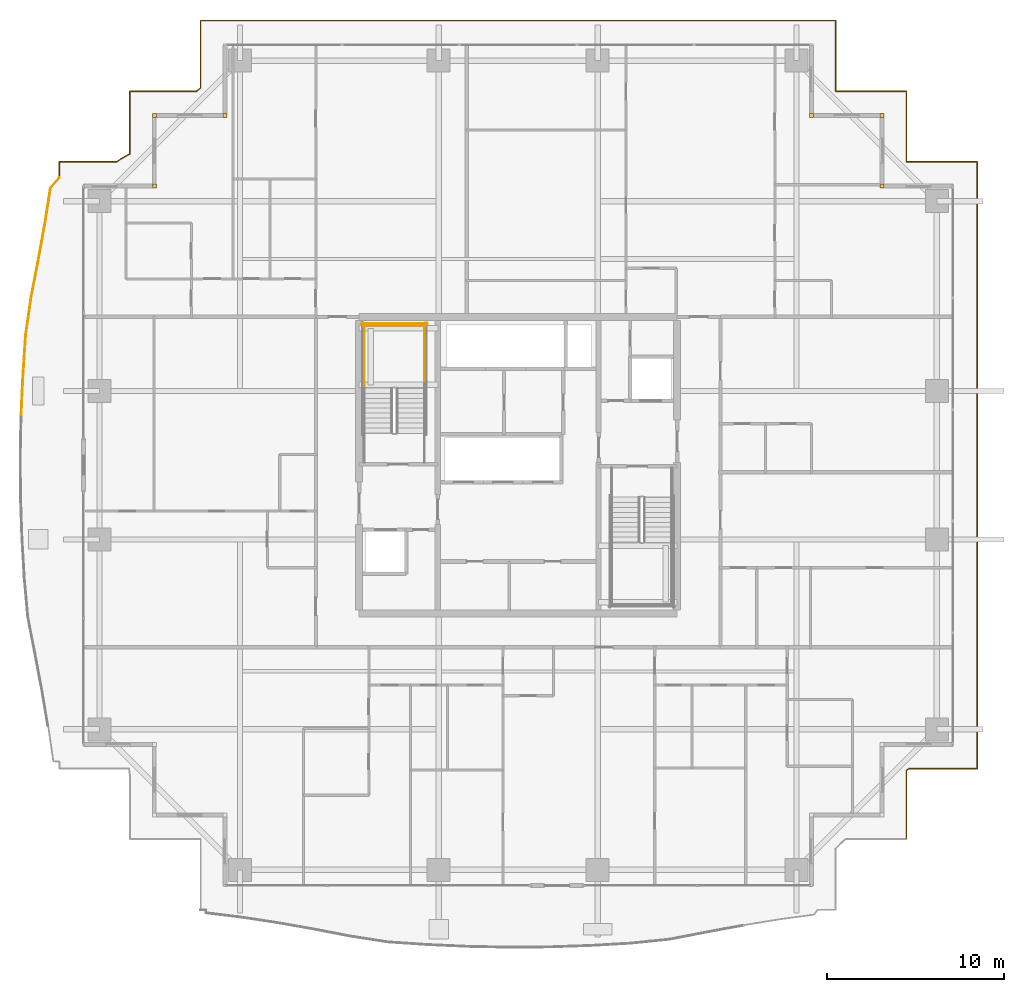
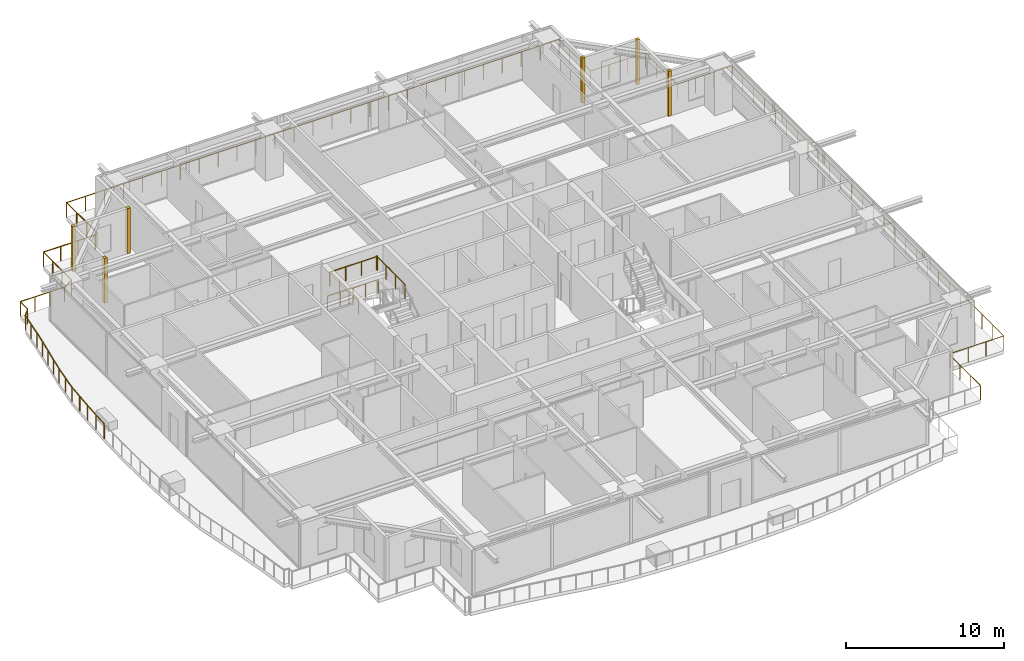
# One storey, part 34 of 34: 7 railings, 6 coverings.
"""IFC4 building model written with IfcOpenShell, lengths in metres."""

from ifc_helpers import new_model, si_unit, direction, frame, origin, origin_2d, place, context, subcontext, project, spatial, rectangle, circle, extrude, source, transform, mapped, material, layer, layer_set, type_object, element, save


model = new_model("IFC4")

# Units and contexts
model_context = context("Model", 3, precision=1e-05, world=origin(), true_north=direction((0.0, 1.0)))
body_context = subcontext(model_context, "Body", "Model", "MODEL_VIEW")
ifc_project = project(units=[si_unit("LENGTHUNIT", "METRE"), si_unit("AREAUNIT", "SQUARE_METRE"), si_unit("VOLUMEUNIT", "CUBIC_METRE"), si_unit("PLANEANGLEUNIT", "RADIAN"), si_unit("MASSUNIT", "GRAM", prefix="KILO")], contexts=[model_context])

# Site, building, storey
site_placement = place(None, origin())
site = spatial("IfcSite", under=ifc_project, at=site_placement, CompositionType="ELEMENT")
building_placement = place(site_placement, origin())
building = spatial("IfcBuilding", under=site, at=building_placement, Name="Serunith Strait Residences", CompositionType="ELEMENT")
storey_placement = place(building_placement, frame((0.0, 0.0, 187.64990234375)))
storey = spatial("IfcBuildingStorey", under=building, at=storey_placement, Name="L47", CompositionType="ELEMENT", Elevation=187.64990234375)

# Railings
ifc_material_1 = material(Name="Stainless Steel & Laminated Glass Balustrade", Category="steel")
railing_type_1 = type_object("IfcRailingType", Name="RLG-BALC-1150", PredefinedType="BALUSTRADE", material=ifc_material_1)
railing_1_placement = place(storey_placement, frame((4.26806640625, 28.039794921875, -0.0498046875)))
element("IfcRailing", 1, at=railing_1_placement, inside=storey, type_object=railing_type_1, Name="L47 Swirling Balcony Perimeter Balustrade 3", PredefinedType="BALUSTRADE", context=body_context, shape_type="SweptSolid", body=[
    extrude(circle(Radius=0.02392578125, at=origin_2d()), frame((0.0, 0.001953125, 1.1259765625), z_axis=(0.045533424671, 0.998962815743, 0.0), x_axis=(-0.998962815743, 0.045533424671, 0.0)), (0.0, 0.0, 1.0), 2.285400390625),
    extrude(circle(Radius=0.02392578125, at=origin_2d()), frame((0.1044921875, 2.2890625, 1.1259765625), z_axis=(0.067335470946, 0.997730391615, 0.0), x_axis=(-0.997730391615, 0.067335470946, 0.0)), (0.0, 0.0, 1.0), 2.258544921875),
    extrude(circle(Radius=0.02392578125, at=origin_2d()), frame((0.2568359375, 4.54638671875, 1.1259765625), z_axis=(0.143815272535, 0.989604551013, 0.0), x_axis=(-0.989604551013, 0.143815272535, 0.0)), (0.0, 0.0, 1.0), 2.1943359375),
    extrude(circle(Radius=0.02392578125, at=origin_2d()), frame((0.5732421875, 6.721923828125, 1.1259765625), z_axis=(0.189904024745, 0.981802659085, 0.0), x_axis=(-0.981802659085, 0.189904024745, 0.0)), (0.0, 0.0, 1.0), 2.12109375),
    extrude(circle(Radius=0.02392578125, at=origin_2d()), frame((0.9765625, 8.808349609375, 1.1259765625), z_axis=(0.177536651756, 0.984114189148, 0.0), x_axis=(-0.984114189148, 0.177536651756, 0.0)), (0.0, 0.0, 1.0), 2.06689453125),
    extrude(circle(Radius=0.02392578125, at=origin_2d()), frame((1.34423828125, 10.846435546875, 1.1259765625), z_axis=(0.155105611763, 0.987897894116, 0.0), x_axis=(-0.987897894116, 0.155105611763, 0.0)), (0.0, 0.0, 1.0), 2.029541015625),
    extrude(circle(Radius=0.02392578125, at=origin_2d()), frame((1.66064453125, 12.85498046875, 1.1259765625), z_axis=(0.650658533442, 0.759370445078, 0.0), x_axis=(-0.759370445078, 0.650658533442, 0.0)), (0.0, 0.0, 1.0), 0.7529296875),
    extrude(circle(Radius=0.02099609375, at=origin_2d()), origin(), (0.0, 0.0, 1.0), 1.099853515625),
    extrude(circle(Radius=0.02099609375, at=origin_2d()), frame((0.05224609375, 1.1435546875, 0.0)), (0.0, 0.0, 1.0), 1.099853515625),
    extrude(circle(Radius=0.02099609375, at=origin_2d()), frame((0.104248046875, 2.287109375, 0.0)), (0.0, 0.0, 1.0), 1.099853515625),
    extrude(circle(Radius=0.02099609375, at=origin_2d()), frame((0.180419921875, 3.415771484375, 0.0)), (0.0, 0.0, 1.0), 1.099853515625),
    extrude(circle(Radius=0.02099609375, at=origin_2d()), frame((0.256591796875, 4.54443359375, 0.0)), (0.0, 0.0, 1.0), 1.099853515625),
    extrude(circle(Radius=0.02099609375, at=origin_2d()), frame((0.41455078125, 5.63232421875, 0.0)), (0.0, 0.0, 1.0), 1.099853515625),
    extrude(circle(Radius=0.02099609375, at=origin_2d()), frame((0.57275390625, 6.719970703125, 0.0)), (0.0, 0.0, 1.0), 1.099853515625),
    extrude(circle(Radius=0.02099609375, at=origin_2d()), frame((0.7744140625, 7.76318359375, 0.0)), (0.0, 0.0, 1.0), 1.099853515625),
    extrude(circle(Radius=0.02099609375, at=origin_2d()), frame((0.976318359375, 8.806396484375, 0.0)), (0.0, 0.0, 1.0), 1.099853515625),
    extrude(circle(Radius=0.02099609375, at=origin_2d()), frame((1.16015625, 9.825439453125, 0.0)), (0.0, 0.0, 1.0), 1.099853515625),
    extrude(circle(Radius=0.02099609375, at=origin_2d()), frame((1.343994140625, 10.844482421875, 0.0)), (0.0, 0.0, 1.0), 1.099853515625),
    extrude(circle(Radius=0.02099609375, at=origin_2d()), frame((1.501708984375, 11.84912109375, 0.0)), (0.0, 0.0, 1.0), 1.099853515625),
    extrude(circle(Radius=0.02099609375, at=origin_2d()), frame((1.659423828125, 12.853515625, 0.0)), (0.0, 0.0, 1.0), 1.099853515625),
    extrude(circle(Radius=0.02099609375, at=origin_2d()), frame((2.15185546875, 13.42822265625, 0.0)), (0.0, 0.0, 1.0), 1.099853515625),
])
railing_2_placement = place(storey_placement, frame((6.419921875, 41.468017578125, -0.0498046875)))
element("IfcRailing", 2, at=railing_2_placement, inside=storey, type_object=railing_type_1, Name="L47 Swirling Balcony Perimeter Balustrade 4", PredefinedType="BALUSTRADE", context=body_context, shape_type="SweptSolid", body=[
    extrude(circle(Radius=0.02392578125, at=origin_2d()), frame((0.0, 0.001953125, 1.1259765625), z_axis=(0.0, 1.0, 0.0), x_axis=(-1.0, 0.0, 0.0)), (0.0, 0.0, 1.0), 0.907958984375),
    extrude(circle(Radius=0.02392578125, at=origin_2d()), frame((0.001953125, 0.911865234375, 1.1259765625), z_axis=(1.0, 0.0, 0.0), x_axis=(0.0, 1.0, 0.0)), (0.0, 0.0, 1.0), 3.22607421875),
    extrude(circle(Radius=0.02392578125, at=origin_2d()), frame((3.231689453125, 0.912841796875, 1.1259765625), z_axis=(0.858979223025, 0.512010443655, 0.0), x_axis=(-0.512010443655, 0.858979223025, 0.0)), (0.0, 0.0, 1.0), 0.892333984375),
    extrude(circle(Radius=0.02392578125, at=origin_2d()), frame((4.0, 1.372802734375, 1.1259765625), z_axis=(0.0, 1.0, 0.0), x_axis=(-1.0, 0.0, 0.0)), (0.0, 0.0, 1.0), 3.537109375),
    extrude(circle(Radius=0.02392578125, at=origin_2d()), frame((4.001953125, 4.911865234375, 1.1259765625), z_axis=(1.0, 0.0, 0.0), x_axis=(0.0, 1.0, 0.0)), (0.0, 0.0, 1.0), 3.7744140625),
    extrude(circle(Radius=0.02392578125, at=origin_2d()), frame((7.77978515625, 4.9130859375, 1.1259765625), z_axis=(0.777683480837, 0.628656029664, 0.0), x_axis=(-0.628656029664, 0.777683480837, 0.0)), (0.0, 0.0, 1.0), 0.281005859375),
    extrude(circle(Radius=0.02392578125, at=origin_2d()), frame((8.0, 5.093017578125, 1.1259765625), z_axis=(0.0, 1.0, 0.0), x_axis=(-1.0, 0.0, 0.0)), (0.0, 0.0, 1.0), 3.81689453125),
    extrude(circle(Radius=0.02392578125, at=origin_2d()), frame((8.001953125, 8.911865234375, 1.1259765625), z_axis=(1.0, 0.0, 0.0), x_axis=(0.0, 1.0, 0.0)), (0.0, 0.0, 1.0), 35.9560546875),
    extrude(circle(Radius=0.02099609375, at=origin_2d()), origin(), (0.0, 0.0, 1.0), 1.099853515625),
    extrude(circle(Radius=0.02099609375, at=origin_2d()), frame((0.0, 0.911865234375, 0.0)), (0.0, 0.0, 1.0), 1.099853515625),
    extrude(circle(Radius=0.02099609375, at=origin_2d()), frame((1.07666015625, 0.911865234375, 0.0)), (0.0, 0.0, 1.0), 1.099853515625),
    extrude(circle(Radius=0.02099609375, at=origin_2d()), frame((2.1533203125, 0.911865234375, 0.0)), (0.0, 0.0, 1.0), 1.099853515625),
    extrude(circle(Radius=0.02099609375, at=origin_2d()), frame((3.22998046875, 0.911865234375, 0.0)), (0.0, 0.0, 1.0), 1.099853515625),
    extrude(circle(Radius=0.02099609375, at=origin_2d()), frame((4.0, 1.370849609375, 0.0)), (0.0, 0.0, 1.0), 1.099853515625),
    extrude(circle(Radius=0.02099609375, at=origin_2d()), frame((4.0, 2.55126953125, 0.0)), (0.0, 0.0, 1.0), 1.099853515625),
    extrude(circle(Radius=0.02099609375, at=origin_2d()), frame((4.0, 3.7314453125, 0.0)), (0.0, 0.0, 1.0), 1.099853515625),
    extrude(circle(Radius=0.02099609375, at=origin_2d()), frame((4.0, 4.911865234375, 0.0)), (0.0, 0.0, 1.0), 1.099853515625),
    extrude(circle(Radius=0.02099609375, at=origin_2d()), frame((5.259521484375, 4.911865234375, 0.0)), (0.0, 0.0, 1.0), 1.099853515625),
    extrude(circle(Radius=0.02099609375, at=origin_2d()), frame((6.518798828125, 4.911865234375, 0.0)), (0.0, 0.0, 1.0), 1.099853515625),
    extrude(circle(Radius=0.02099609375, at=origin_2d()), frame((7.7783203125, 4.911865234375, 0.0)), (0.0, 0.0, 1.0), 1.099853515625),
    extrude(circle(Radius=0.02099609375, at=origin_2d()), frame((8.0, 5.091064453125, 0.0)), (0.0, 0.0, 1.0), 1.099853515625),
    extrude(circle(Radius=0.02099609375, at=origin_2d()), frame((8.0, 6.36474609375, 0.0)), (0.0, 0.0, 1.0), 1.099853515625),
    extrude(circle(Radius=0.02099609375, at=origin_2d()), frame((8.0, 7.63818359375, 0.0)), (0.0, 0.0, 1.0), 1.099853515625),
    extrude(circle(Radius=0.02099609375, at=origin_2d()), frame((8.0, 8.911865234375, 0.0)), (0.0, 0.0, 1.0), 1.099853515625),
    extrude(circle(Radius=0.02099609375, at=origin_2d()), frame((9.383056640625, 8.911865234375, 0.0)), (0.0, 0.0, 1.0), 1.099853515625),
    extrude(circle(Radius=0.02099609375, at=origin_2d()), frame((10.76611328125, 8.911865234375, 0.0)), (0.0, 0.0, 1.0), 1.099853515625),
    extrude(circle(Radius=0.02099609375, at=origin_2d()), frame((12.149169921875, 8.911865234375, 0.0)), (0.0, 0.0, 1.0), 1.099853515625),
    extrude(circle(Radius=0.02099609375, at=origin_2d()), frame((13.5322265625, 8.911865234375, 0.0)), (0.0, 0.0, 1.0), 1.099853515625),
    extrude(circle(Radius=0.02099609375, at=origin_2d()), frame((14.915283203125, 8.911865234375, 0.0)), (0.0, 0.0, 1.0), 1.099853515625),
    extrude(circle(Radius=0.02099609375, at=origin_2d()), frame((16.29833984375, 8.911865234375, 0.0)), (0.0, 0.0, 1.0), 1.099853515625),
    extrude(circle(Radius=0.02099609375, at=origin_2d()), frame((17.681640625, 8.911865234375, 0.0)), (0.0, 0.0, 1.0), 1.099853515625),
    extrude(circle(Radius=0.02099609375, at=origin_2d()), frame((19.064697265625, 8.911865234375, 0.0)), (0.0, 0.0, 1.0), 1.099853515625),
    extrude(circle(Radius=0.02099609375, at=origin_2d()), frame((20.44775390625, 8.911865234375, 0.0)), (0.0, 0.0, 1.0), 1.099853515625),
    extrude(circle(Radius=0.02099609375, at=origin_2d()), frame((21.830810546875, 8.911865234375, 0.0)), (0.0, 0.0, 1.0), 1.099853515625),
    extrude(circle(Radius=0.02099609375, at=origin_2d()), frame((23.2138671875, 8.911865234375, 0.0)), (0.0, 0.0, 1.0), 1.099853515625),
    extrude(circle(Radius=0.02099609375, at=origin_2d()), frame((24.596923828125, 8.911865234375, 0.0)), (0.0, 0.0, 1.0), 1.099853515625),
    extrude(circle(Radius=0.02099609375, at=origin_2d()), frame((25.97998046875, 8.911865234375, 0.0)), (0.0, 0.0, 1.0), 1.099853515625),
    extrude(circle(Radius=0.02099609375, at=origin_2d()), frame((27.363037109375, 8.911865234375, 0.0)), (0.0, 0.0, 1.0), 1.099853515625),
    extrude(circle(Radius=0.02099609375, at=origin_2d()), frame((28.74609375, 8.911865234375, 0.0)), (0.0, 0.0, 1.0), 1.099853515625),
    extrude(circle(Radius=0.02099609375, at=origin_2d()), frame((30.129150390625, 8.911865234375, 0.0)), (0.0, 0.0, 1.0), 1.099853515625),
    extrude(circle(Radius=0.02099609375, at=origin_2d()), frame((31.51220703125, 8.911865234375, 0.0)), (0.0, 0.0, 1.0), 1.099853515625),
    extrude(circle(Radius=0.02099609375, at=origin_2d()), frame((32.895263671875, 8.911865234375, 0.0)), (0.0, 0.0, 1.0), 1.099853515625),
    extrude(circle(Radius=0.02099609375, at=origin_2d()), frame((34.2783203125, 8.911865234375, 0.0)), (0.0, 0.0, 1.0), 1.099853515625),
    extrude(circle(Radius=0.02099609375, at=origin_2d()), frame((35.66162109375, 8.911865234375, 0.0)), (0.0, 0.0, 1.0), 1.099853515625),
    extrude(circle(Radius=0.02099609375, at=origin_2d()), frame((37.044677734375, 8.911865234375, 0.0)), (0.0, 0.0, 1.0), 1.099853515625),
    extrude(circle(Radius=0.02099609375, at=origin_2d()), frame((38.427734375, 8.911865234375, 0.0)), (0.0, 0.0, 1.0), 1.099853515625),
    extrude(circle(Radius=0.02099609375, at=origin_2d()), frame((39.810791015625, 8.911865234375, 0.0)), (0.0, 0.0, 1.0), 1.099853515625),
    extrude(circle(Radius=0.02099609375, at=origin_2d()), frame((41.19384765625, 8.911865234375, 0.0)), (0.0, 0.0, 1.0), 1.099853515625),
    extrude(circle(Radius=0.02099609375, at=origin_2d()), frame((42.576904296875, 8.911865234375, 0.0)), (0.0, 0.0, 1.0), 1.099853515625),
    extrude(circle(Radius=0.02099609375, at=origin_2d()), frame((43.9599609375, 8.911865234375, 0.0)), (0.0, 0.0, 1.0), 1.099853515625),
])
railing_3_placement = place(storey_placement, frame((50.3798828125, 50.3798828125, -0.0498046875)))
element("IfcRailing", 3, at=railing_3_placement, inside=storey, type_object=railing_type_1, Name="L47 Swirling Balcony Perimeter Balustrade 5", PredefinedType="BALUSTRADE", context=body_context, shape_type="SweptSolid", body=[
    extrude(circle(Radius=0.02392578125, at=origin_2d()), frame((0.0, -0.001953125, 1.1259765625), z_axis=(0.0, -1.0, 0.0), x_axis=(1.0, 0.0, 0.0)), (0.0, 0.0, 1.0), 3.99609375),
    extrude(circle(Radius=0.02392578125, at=origin_2d()), frame((0.001953125, -4.0, 1.1259765625), z_axis=(1.0, 0.0, 0.0), x_axis=(0.0, 1.0, 0.0)), (0.0, 0.0, 1.0), 3.99609375),
    extrude(circle(Radius=0.02392578125, at=origin_2d()), frame((4.0, -4.001953125, 1.1259765625), z_axis=(0.0, -1.0, 0.0), x_axis=(1.0, 0.0, 0.0)), (0.0, 0.0, 1.0), 3.99609375),
    extrude(circle(Radius=0.02392578125, at=origin_2d()), frame((4.001953125, -8.0, 1.1259765625), z_axis=(1.0, 0.0, 0.0), x_axis=(0.0, 1.0, 0.0)), (0.0, 0.0, 1.0), 3.99609375),
    extrude(circle(Radius=0.02392578125, at=origin_2d()), frame((8.0, -8.001953125, 1.1259765625), z_axis=(0.0, -1.0, 0.0), x_axis=(1.0, 0.0, 0.0)), (0.0, 0.0, 1.0), 34.35595703125),
    extrude(circle(Radius=0.02392578125, at=origin_2d()), frame((7.998046875, -42.35986328125, 1.1259765625), z_axis=(-1.0, 0.0, 0.0), x_axis=(0.0, -1.0, 0.0)), (0.0, 0.0, 1.0), 3.86083984375),
    extrude(circle(Radius=0.02392578125, at=origin_2d()), frame((4.133544921875, -42.361083984375, 1.1259765625), z_axis=(-0.809367380782, -0.587302684249, 0.0), x_axis=(0.587302684249, -0.809367380782, 0.0)), (0.0, 0.0, 1.0), 0.1630859375),
    extrude(circle(Radius=0.02392578125, at=origin_2d()), frame((4.0, -42.4599609375, 1.1259765625), z_axis=(0.0, -1.0, 0.0), x_axis=(1.0, 0.0, 0.0)), (0.0, 0.0, 1.0), 3.89794921875),
    extrude(circle(Radius=0.02099609375, at=origin_2d()), origin(), (0.0, 0.0, 1.0), 1.099853515625),
    extrude(circle(Radius=0.02099609375, at=origin_2d()), frame((0.0, -1.333251953125, 0.0)), (0.0, 0.0, 1.0), 1.099853515625),
    extrude(circle(Radius=0.02099609375, at=origin_2d()), frame((0.0, -2.666748046875, 0.0)), (0.0, 0.0, 1.0), 1.099853515625),
    extrude(circle(Radius=0.02099609375, at=origin_2d()), frame((0.0, -4.0, 0.0)), (0.0, 0.0, 1.0), 1.099853515625),
    extrude(circle(Radius=0.02099609375, at=origin_2d()), frame((1.333251953125, -4.0, 0.0)), (0.0, 0.0, 1.0), 1.099853515625),
    extrude(circle(Radius=0.02099609375, at=origin_2d()), frame((2.666748046875, -4.0, 0.0)), (0.0, 0.0, 1.0), 1.099853515625),
    extrude(circle(Radius=0.02099609375, at=origin_2d()), frame((4.0, -4.0, 0.0)), (0.0, 0.0, 1.0), 1.099853515625),
    extrude(circle(Radius=0.02099609375, at=origin_2d()), frame((4.0, -5.333251953125, 0.0)), (0.0, 0.0, 1.0), 1.099853515625),
    extrude(circle(Radius=0.02099609375, at=origin_2d()), frame((4.0, -6.666748046875, 0.0)), (0.0, 0.0, 1.0), 1.099853515625),
    extrude(circle(Radius=0.02099609375, at=origin_2d()), frame((4.0, -8.0, 0.0)), (0.0, 0.0, 1.0), 1.099853515625),
    extrude(circle(Radius=0.02099609375, at=origin_2d()), frame((5.333251953125, -8.0, 0.0)), (0.0, 0.0, 1.0), 1.099853515625),
    extrude(circle(Radius=0.02099609375, at=origin_2d()), frame((6.666748046875, -8.0, 0.0)), (0.0, 0.0, 1.0), 1.099853515625),
    extrude(circle(Radius=0.02099609375, at=origin_2d()), frame((8.0, -8.0, 0.0)), (0.0, 0.0, 1.0), 1.099853515625),
    extrude(circle(Radius=0.02099609375, at=origin_2d()), frame((8.0, -9.37451171875, 0.0)), (0.0, 0.0, 1.0), 1.099853515625),
    extrude(circle(Radius=0.02099609375, at=origin_2d()), frame((8.0, -10.748779296875, 0.0)), (0.0, 0.0, 1.0), 1.099853515625),
    extrude(circle(Radius=0.02099609375, at=origin_2d()), frame((8.0, -12.123291015625, 0.0)), (0.0, 0.0, 1.0), 1.099853515625),
    extrude(circle(Radius=0.02099609375, at=origin_2d()), frame((8.0, -13.49755859375, 0.0)), (0.0, 0.0, 1.0), 1.099853515625),
    extrude(circle(Radius=0.02099609375, at=origin_2d()), frame((8.0, -14.8720703125, 0.0)), (0.0, 0.0, 1.0), 1.099853515625),
    extrude(circle(Radius=0.02099609375, at=origin_2d()), frame((8.0, -16.246337890625, 0.0)), (0.0, 0.0, 1.0), 1.099853515625),
    extrude(circle(Radius=0.02099609375, at=origin_2d()), frame((8.0, -17.620849609375, 0.0)), (0.0, 0.0, 1.0), 1.099853515625),
    extrude(circle(Radius=0.02099609375, at=origin_2d()), frame((8.0, -18.9951171875, 0.0)), (0.0, 0.0, 1.0), 1.099853515625),
    extrude(circle(Radius=0.02099609375, at=origin_2d()), frame((8.0, -20.36962890625, 0.0)), (0.0, 0.0, 1.0), 1.099853515625),
    extrude(circle(Radius=0.02099609375, at=origin_2d()), frame((8.0, -21.743896484375, 0.0)), (0.0, 0.0, 1.0), 1.099853515625),
    extrude(circle(Radius=0.02099609375, at=origin_2d()), frame((8.0, -23.118408203125, 0.0)), (0.0, 0.0, 1.0), 1.099853515625),
    extrude(circle(Radius=0.02099609375, at=origin_2d()), frame((8.0, -24.49267578125, 0.0)), (0.0, 0.0, 1.0), 1.099853515625),
    extrude(circle(Radius=0.02099609375, at=origin_2d()), frame((8.0, -25.8671875, 0.0)), (0.0, 0.0, 1.0), 1.099853515625),
    extrude(circle(Radius=0.02099609375, at=origin_2d()), frame((8.0, -27.241455078125, 0.0)), (0.0, 0.0, 1.0), 1.099853515625),
    extrude(circle(Radius=0.02099609375, at=origin_2d()), frame((8.0, -28.615966796875, 0.0)), (0.0, 0.0, 1.0), 1.099853515625),
    extrude(circle(Radius=0.02099609375, at=origin_2d()), frame((8.0, -29.990234375, 0.0)), (0.0, 0.0, 1.0), 1.099853515625),
    extrude(circle(Radius=0.02099609375, at=origin_2d()), frame((8.0, -31.36474609375, 0.0)), (0.0, 0.0, 1.0), 1.099853515625),
    extrude(circle(Radius=0.02099609375, at=origin_2d()), frame((8.0, -32.739013671875, 0.0)), (0.0, 0.0, 1.0), 1.099853515625),
    extrude(circle(Radius=0.02099609375, at=origin_2d()), frame((8.0, -34.113525390625, 0.0)), (0.0, 0.0, 1.0), 1.099853515625),
    extrude(circle(Radius=0.02099609375, at=origin_2d()), frame((8.0, -35.48779296875, 0.0)), (0.0, 0.0, 1.0), 1.099853515625),
    extrude(circle(Radius=0.02099609375, at=origin_2d()), frame((8.0, -36.8623046875, 0.0)), (0.0, 0.0, 1.0), 1.099853515625),
    extrude(circle(Radius=0.02099609375, at=origin_2d()), frame((8.0, -38.236572265625, 0.0)), (0.0, 0.0, 1.0), 1.099853515625),
    extrude(circle(Radius=0.02099609375, at=origin_2d()), frame((8.0, -39.611083984375, 0.0)), (0.0, 0.0, 1.0), 1.099853515625),
    extrude(circle(Radius=0.02099609375, at=origin_2d()), frame((8.0, -40.9853515625, 0.0)), (0.0, 0.0, 1.0), 1.099853515625),
    extrude(circle(Radius=0.02099609375, at=origin_2d()), frame((8.0, -42.35986328125, 0.0)), (0.0, 0.0, 1.0), 1.099853515625),
    extrude(circle(Radius=0.02099609375, at=origin_2d()), frame((6.711669921875, -42.35986328125, 0.0)), (0.0, 0.0, 1.0), 1.099853515625),
    extrude(circle(Radius=0.02099609375, at=origin_2d()), frame((5.423583984375, -42.35986328125, 0.0)), (0.0, 0.0, 1.0), 1.099853515625),
    extrude(circle(Radius=0.02099609375, at=origin_2d()), frame((4.13525390625, -42.35986328125, 0.0)), (0.0, 0.0, 1.0), 1.099853515625),
    extrude(circle(Radius=0.02099609375, at=origin_2d()), frame((4.0, -42.4580078125, 0.0)), (0.0, 0.0, 1.0), 1.099853515625),
    extrude(circle(Radius=0.02099609375, at=origin_2d()), frame((4.0, -43.758544921875, 0.0)), (0.0, 0.0, 1.0), 1.099853515625),
    extrude(circle(Radius=0.02099609375, at=origin_2d()), frame((4.0, -45.059326171875, 0.0)), (0.0, 0.0, 1.0), 1.099853515625),
    extrude(circle(Radius=0.02099609375, at=origin_2d()), frame((4.0, -46.35986328125, 0.0)), (0.0, 0.0, 1.0), 1.099853515625),
])
ifc_material_2 = material(Name="Brushed stainless steel 316L", Category="steel")
railing_type_2 = type_object("IfcRailingType", Name="RLG-STAIR-GUARD", PredefinedType="BALUSTRADE", material=ifc_material_2)
for number, where, name in (
    (4, (27.10009765625, 29.550048828125, 1.875), "L47 ST-1 stair guard 3"),
    (5, (23.699951171875, 29.550048828125, 1.875), "L47 ST-1 stair guard 4"),
):
    element("IfcRailing", number, at=place(storey_placement, frame(where)), inside=storey, type_object=railing_type_2, Name=name, PredefinedType="BALUSTRADE", context=body_context, shape_type="SweptSolid", body=[
        extrude(circle(Radius=0.02392578125, at=origin_2d()), frame((0.0, 0.001953125, 1.076171875), z_axis=(0.0, 1.0, 0.0), x_axis=(-1.0, 0.0, 0.0)), (0.0, 0.0, 1.0), 3.595947265625),
        extrude(circle(Radius=0.02099609375, at=origin_2d()), origin(), (0.0, 0.0, 1.0), 1.050048828125),
        extrude(circle(Radius=0.02099609375, at=origin_2d()), frame((0.0, 1.199951171875, 0.0)), (0.0, 0.0, 1.0), 1.050048828125),
        extrude(circle(Radius=0.02099609375, at=origin_2d()), frame((0.0, 2.39990234375, 0.0)), (0.0, 0.0, 1.0), 1.050048828125),
        extrude(circle(Radius=0.02099609375, at=origin_2d()), frame((0.0, 3.599853515625, 0.0)), (0.0, 0.0, 1.0), 1.050048828125),
    ])
railing_4_placement = place(storey_placement, frame((27.14990234375, 33.10009765625, 1.875)))
element("IfcRailing", 6, at=railing_4_placement, inside=storey, type_object=railing_type_2, Name="L47 ST-1 stair guard 5", PredefinedType="BALUSTRADE", context=body_context, shape_type="SweptSolid", body=[
    extrude(circle(Radius=0.02392578125, at=origin_2d()), frame((-0.001953125, 0.0, 1.076171875), z_axis=(-1.0, 0.0, 0.0), x_axis=(0.0, -1.0, 0.0)), (0.0, 0.0, 1.0), 3.49609375),
    extrude(circle(Radius=0.02099609375, at=origin_2d()), origin(), (0.0, 0.0, 1.0), 1.050048828125),
    extrude(circle(Radius=0.02099609375, at=origin_2d()), frame((-1.166748046875, 0.0, 0.0)), (0.0, 0.0, 1.0), 1.050048828125),
    extrude(circle(Radius=0.02099609375, at=origin_2d()), frame((-2.333251953125, 0.0, 0.0)), (0.0, 0.0, 1.0), 1.050048828125),
    extrude(circle(Radius=0.02099609375, at=origin_2d()), frame((-3.5, 0.0, 0.0)), (0.0, 0.0, 1.0), 1.050048828125),
])
railing_5_placement = place(storey_placement, frame((27.25, 33.199951171875, 0.0)))
element("IfcRailing", 7, at=railing_5_placement, inside=storey, type_object=railing_type_2, Name="L47 ST-1 stair guard 12", PredefinedType="BALUSTRADE", context=body_context, shape_type="SweptSolid", body=[
    extrude(circle(Radius=0.02392578125, at=origin_2d()), frame((-0.001953125, 0.0, 1.076171875), z_axis=(-1.0, 0.0, 0.0), x_axis=(0.0, -1.0, 0.0)), (0.0, 0.0, 1.0), 3.696044921875),
    extrude(circle(Radius=0.02099609375, at=origin_2d()), origin(), (0.0, 0.0, 1.0), 1.050048828125),
    extrude(circle(Radius=0.02099609375, at=origin_2d()), frame((-0.925048828125, 0.0, 0.0)), (0.0, 0.0, 1.0), 1.050048828125),
    extrude(circle(Radius=0.02099609375, at=origin_2d()), frame((-1.85009765625, 0.0, 0.0)), (0.0, 0.0, 1.0), 1.050048828125),
    extrude(circle(Radius=0.02099609375, at=origin_2d()), frame((-2.77490234375, 0.0, 0.0)), (0.0, 0.0, 1.0), 1.050048828125),
    extrude(circle(Radius=0.02099609375, at=origin_2d()), frame((-3.699951171875, 0.0, 0.0)), (0.0, 0.0, 1.0), 1.050048828125),
])

# Coverings
ifc_material_3 = material(Name="Pale-Champagne Anodised Aluminium", Category="aluminium")
ifc_layer = layer(ifc_material_3, 0.219970703125, Name="Pale-Champagne Anodised Aluminium")
ifc_layer_set = layer_set([ifc_layer], Name="Pale-Champagne Anodised Aluminium")
covering_type = type_object("IfcCoveringType", Name="COV-CORN-TRIM", PredefinedType="CLADDING", material=ifc_layer_set)
shared_shape = source(origin(), body_context, "Body", "SweptSolid", [
    extrude(rectangle(XDim=0.221923828125, YDim=0.221923828125, at=origin_2d()), origin(), (0.0, 0.0, 1.0), 3.47509765625),
])
for number, where, z_axis, x_axis, name in (
    (8, (53.0, 41.0, 0.0), (0.0, 0.0, 1.0), (1.0, 0.0, 0.0), "L47 Girih Serrated Corner Trim Post 07"),
    (9, (53.0, 45.0, 0.0), (0.0, 0.0, 1.0), (1.0, 0.0, 0.0), "L47 Girih Serrated Corner Trim Post 08"),
    (10, (49.0, 45.0, 0.0), (0.0, 0.0, 1.0), (1.0, 0.0, 0.0), "L47 Girih Serrated Corner Trim Post 09"),
    (11, (15.800048828125, 45.0, 0.0), (0.0, 0.0, 1.0), (1.0, 0.0, 0.0), "L47 Girih Serrated Corner Trim Post 12"),
    (12, (11.800048828125, 45.0, 0.0), (0.0, 0.0, 1.0), (1.0, 0.0, 0.0), "L47 Girih Serrated Corner Trim Post 13"),
    (13, (11.800048828125, 41.0, 0.0), (0.0, 0.0, 1.0), (1.0, 0.0, 0.0), "L47 Girih Serrated Corner Trim Post 14"),
):
    element("IfcCovering", number, at=place(storey_placement, frame(where, z_axis=z_axis, x_axis=x_axis)), inside=storey, type_object=covering_type, Name=name, PredefinedType="CLADDING", context=body_context, shape_type="MappedRepresentation", body=[
        mapped(shared_shape, transform((0.0, 0.0, 0.0), scale=1.0)),
    ])

save(model, "model.ifc")
